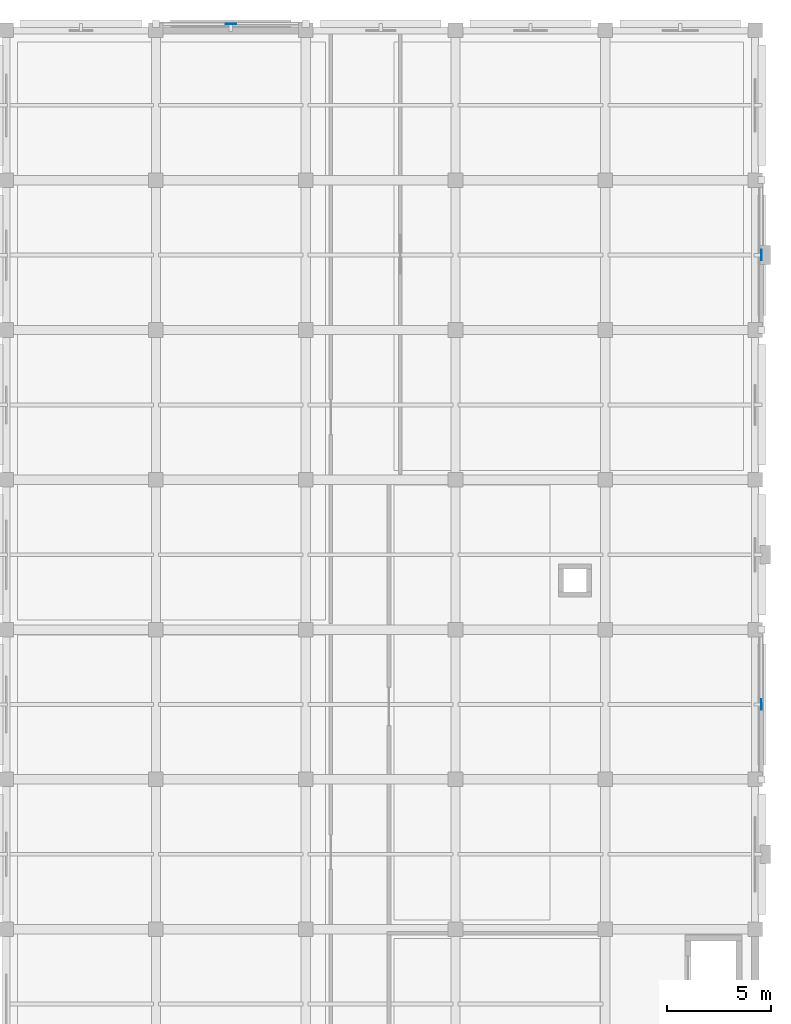
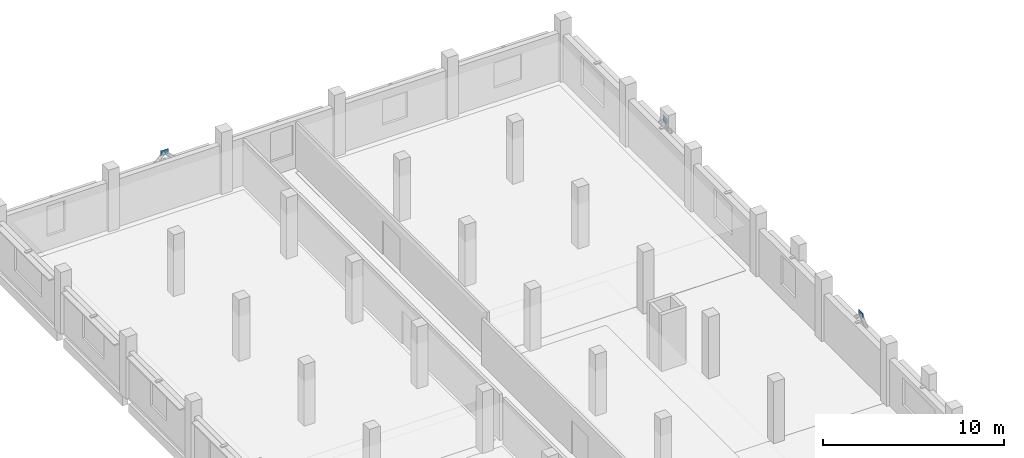
# One storey, part 31 of 57: 3 plates.
"""IFC4 building model written with IfcOpenShell, lengths in metres."""

from ifc_helpers import new_model, si_unit, direction, frame, origin, origin_2d, place, context, subcontext, project, spatial, rectangle, extrude, material, type_object, element, save


model = new_model("IFC4")

# Units and contexts
model_context = context("Model", 3, precision=1e-05, world=origin(), true_north=direction((0.0, 1.0)))
body_context = subcontext(model_context, "Body", "Model", "MODEL_VIEW")
ifc_project = project(units=[si_unit("LENGTHUNIT", "METRE"), si_unit("AREAUNIT", "SQUARE_METRE"), si_unit("VOLUMEUNIT", "CUBIC_METRE"), si_unit("PLANEANGLEUNIT", "RADIAN"), si_unit("MASSUNIT", "GRAM", prefix="KILO")], contexts=[model_context])

# Site, building, storey
site_placement = place(None, origin())
site = spatial("IfcSite", under=ifc_project, at=site_placement, CompositionType="ELEMENT")
building_placement = place(site_placement, origin())
building = spatial("IfcBuilding", under=site, at=building_placement, Name="Valkovuoma Quantum and Materials Research Institute", CompositionType="ELEMENT")
storey_placement = place(building_placement, frame((0.0, 0.0, 4.800048828125)))
storey = spatial("IfcBuildingStorey", under=building, at=storey_placement, Name="L01", CompositionType="ELEMENT", Elevation=4.800048828125)

# Plates
ifc_material = material(Name="Steel S355J2", Category="steel")
plate_type = type_object("IfcPlateType", Name="Plate-PL-SHT1", PredefinedType="SHEET", material=ifc_material)
for number, where, z_axis, x_axis, name in (
    (1, (165.89990234375, 82.800048828125, 3.434814453125), (0.0, 0.0, 1.0), (0.0, 1.0, 0.0), "L01 chevron node sheet plate 09"),
    (2, (165.89990234375, 104.39990234375, 3.434814453125), (0.0, 0.0, 1.0), (0.0, 1.0, 0.0), "L01 chevron node sheet plate 15"),
    (3, (140.39990234375, 115.5, 3.434814453125), (0.0, 0.0, 1.0), (1.0, 0.0, 0.0), "L01 chevron node sheet plate 21"),
):
    element("IfcPlate", number, at=place(storey_placement, frame(where, z_axis=z_axis, x_axis=x_axis)), inside=storey, type_object=plate_type, Name=name, PredefinedType="SHEET", context=body_context, shape_type="SweptSolid", body=[
        extrude(rectangle(XDim=0.5, YDim=0.02001953125, at=origin_2d()), origin(), (0.0, 0.0, 1.0), 0.35009765625),
    ])

save(model, "model.ifc")
